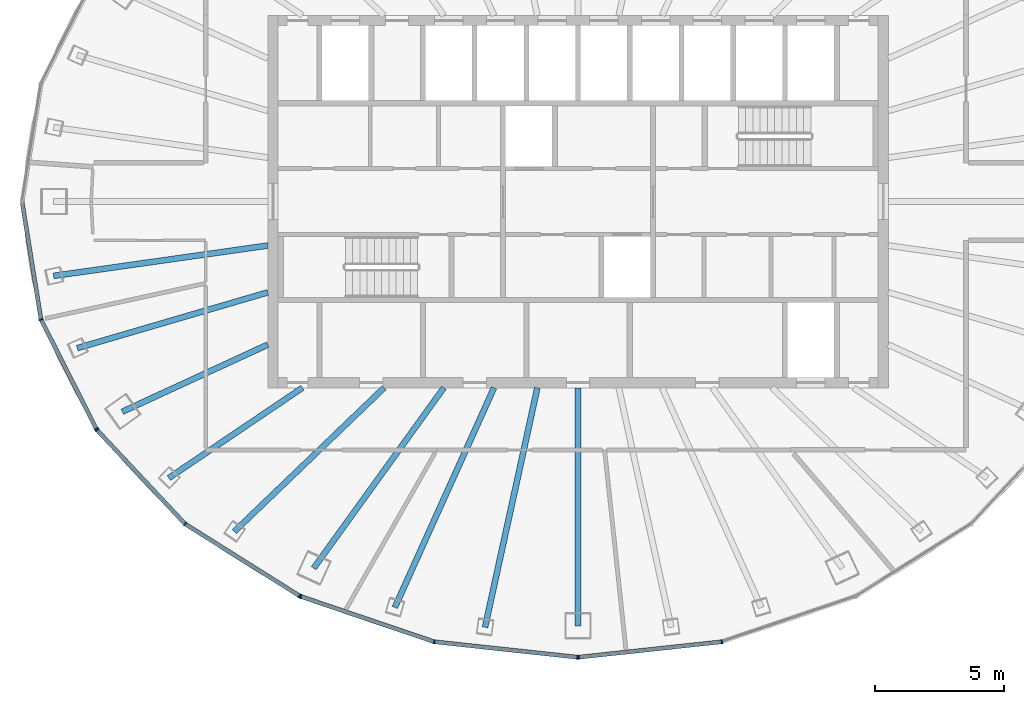
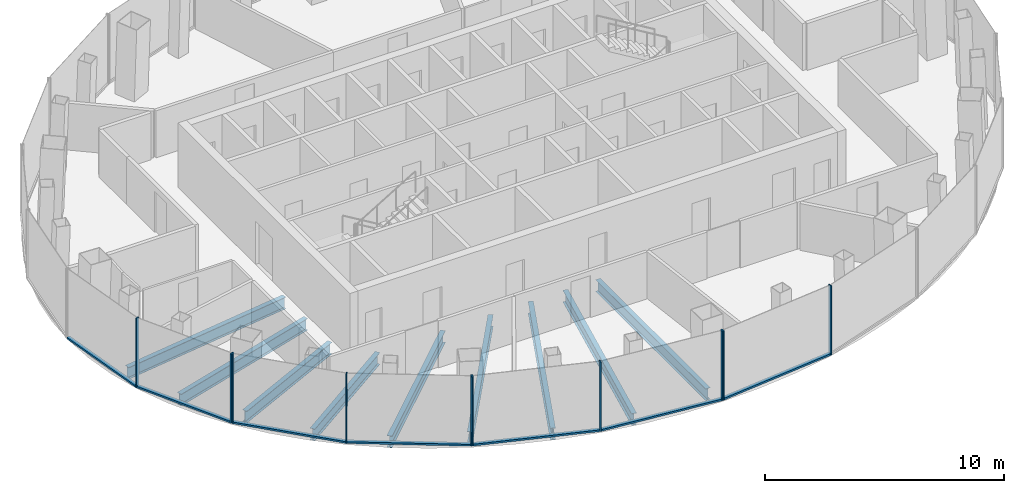
# One storey, part 2 of 12: 17 members, 9 beams, 4 elements without a shape of their own.
"""IFC4 building model written with IfcOpenShell, lengths in metres."""

from ifc_helpers import new_model, si_unit, direction, frame, origin, origin_2d, place, context, subcontext, project, spatial, rectangle, i_section, extrude, material, layer, layer_set, material_profile, profile_set, type_object, element, aggregate, save


model = new_model("IFC4")

# Units and contexts
model_context = context("Model", 3, precision=1e-05, world=origin(), true_north=direction((0.0, 1.0)))
body_context = subcontext(model_context, "Body", "Model", "MODEL_VIEW")
ifc_project = project(units=[si_unit("LENGTHUNIT", "METRE"), si_unit("AREAUNIT", "SQUARE_METRE"), si_unit("VOLUMEUNIT", "CUBIC_METRE"), si_unit("PLANEANGLEUNIT", "RADIAN"), si_unit("MASSUNIT", "GRAM", prefix="KILO")], contexts=[model_context])

# Site, building, storey
site_placement = place(None, origin())
site = spatial("IfcSite", under=ifc_project, at=site_placement, CompositionType="ELEMENT")
building_placement = place(site_placement, origin())
building = spatial("IfcBuilding", under=site, at=building_placement, Name="Siaravel Broadcast Tower", CompositionType="ELEMENT")
storey_placement = place(building_placement, frame((0.0, 0.0, 235.60009765625)))
storey = spatial("IfcBuildingStorey", under=building, at=storey_placement, Name="L57", CompositionType="ELEMENT", Elevation=235.60009765625)

# Beams
ifc_material_1 = material(Name="Steel S355", Category="steel")
ifc_material_profile_1 = material_profile(ifc_material_1, i_section(OverallWidth=0.2275390625, OverallDepth=0.6025390625, WebThickness=0.010498046875, FlangeThickness=0.014892578125, FilletRadius=0.0126953125, at=origin_2d()))
ifc_profile_set_1 = profile_set([ifc_material_profile_1], Name="Steel S355")
beam_type = type_object("IfcBeamType", Name="BM-UB 610x229x101", PredefinedType="BEAM", material=ifc_profile_set_1)
beam_1_placement = place(storey_placement, frame((-20.281005859375, -2.873779296875, -0.451416015625), z_axis=(0.990110561, 0.140289258, 0.0), x_axis=(-0.140289258, 0.990110561, 0.0)))
element("IfcBeam", 1, at=beam_1_placement, inside=storey, type_object=beam_type, Name="Radial beam RB20", PredefinedType="BEAM", context=body_context, shape_type="SweptSolid", body=[
    extrude(i_section(OverallWidth=0.2275390625, OverallDepth=0.6025390625, WebThickness=0.010498046875, FlangeThickness=0.014892578125, FilletRadius=0.0126953125, at=origin_2d()), origin(), (0.0, 0.0, 1.0), 8.36376953125),
])
beam_2_placement = place(storey_placement, frame((-19.3671875, -5.6669921875, -0.451416015625), z_axis=(0.959763126, 0.280810864, 0.0), x_axis=(-0.280810864, 0.959763126, 0.0)))
element("IfcBeam", 2, at=beam_2_placement, inside=storey, type_object=beam_type, Name="Radial beam RB21", PredefinedType="BEAM", context=body_context, shape_type="SweptSolid", body=[
    extrude(i_section(OverallWidth=0.2275390625, OverallDepth=0.6025390625, WebThickness=0.010498046875, FlangeThickness=0.014892578125, FilletRadius=0.0126953125, at=origin_2d()), origin(), (0.0, 0.0, 1.0), 7.676025390625),
])
beam_3_placement = place(storey_placement, frame((-17.623291015625, -8.1259765625, -0.451416015625), z_axis=(0.908103573, 0.418745628, 0.0), x_axis=(-0.418745628, 0.908103573, 0.0)))
element("IfcBeam", 3, at=beam_3_placement, inside=storey, type_object=beam_type, Name="Radial beam RB22", PredefinedType="BEAM", context=body_context, shape_type="SweptSolid", body=[
    extrude(i_section(OverallWidth=0.2275390625, OverallDepth=0.6025390625, WebThickness=0.010498046875, FlangeThickness=0.014892578125, FilletRadius=0.0126953125, at=origin_2d()), origin(), (0.0, 0.0, 1.0), 6.1923828125),
])
beam_4_placement = place(storey_placement, frame((-15.8251953125, -10.688720703125, -0.451416015625), z_axis=(0.828672445, 0.559733846, 0.0), x_axis=(-0.559733846, 0.828672445, 0.0)))
element("IfcBeam", 4, at=beam_4_placement, inside=storey, type_object=beam_type, Name="Radial beam RB23", PredefinedType="BEAM", context=body_context, shape_type="SweptSolid", body=[
    extrude(i_section(OverallWidth=0.2275390625, OverallDepth=0.6025390625, WebThickness=0.010498046875, FlangeThickness=0.014892578125, FilletRadius=0.0126953125, at=origin_2d()), origin(), (0.0, 0.0, 1.0), 6.23291015625),
])
beam_5_placement = place(storey_placement, frame((-13.294921875, -12.76123046875, -0.451416015625), z_axis=(0.721429237, 0.692488163, 0.0), x_axis=(-0.692488163, 0.721429237, 0.0)))
element("IfcBeam", 5, at=beam_5_placement, inside=storey, type_object=beam_type, Name="Radial beam RB24", PredefinedType="BEAM", context=body_context, shape_type="SweptSolid", body=[
    extrude(i_section(OverallWidth=0.2275390625, OverallDepth=0.6025390625, WebThickness=0.010498046875, FlangeThickness=0.014892578125, FilletRadius=0.0126953125, at=origin_2d()), origin(), (0.0, 0.0, 1.0), 8.03076171875),
])
beam_6_placement = place(storey_placement, frame((-10.2236328125, -14.177490234375, -0.451416015625), z_axis=(0.584910141, 0.811098099, 0.0), x_axis=(-0.811098099, 0.584910141, 0.0)))
element("IfcBeam", 6, at=beam_6_placement, inside=storey, type_object=beam_type, Name="Radial beam RB25", PredefinedType="BEAM", context=body_context, shape_type="SweptSolid", body=[
    extrude(i_section(OverallWidth=0.2275390625, OverallDepth=0.6025390625, WebThickness=0.010498046875, FlangeThickness=0.014892578125, FilletRadius=0.0126953125, at=origin_2d()), origin(), (0.0, 0.0, 1.0), 8.6025390625),
])
beam_7_placement = place(storey_placement, frame((-7.086669921875, -15.696044921875, -0.451416015625), z_axis=(0.4114969, 0.911411159, 0.0), x_axis=(-0.911411159, 0.4114969, 0.0)))
element("IfcBeam", 7, at=beam_7_placement, inside=storey, type_object=beam_type, Name="Radial beam RB26", PredefinedType="BEAM", context=body_context, shape_type="SweptSolid", body=[
    extrude(i_section(OverallWidth=0.2275390625, OverallDepth=0.6025390625, WebThickness=0.010498046875, FlangeThickness=0.014892578125, FilletRadius=0.0126953125, at=origin_2d()), origin(), (0.0, 0.0, 1.0), 9.322021484375),
])
beam_8_placement = place(storey_placement, frame((-3.599609375, -16.461181640625, -0.451416015625), z_axis=(0.213621611, 0.976916479, 0.0), x_axis=(-0.976916479, 0.213621611, 0.0)))
element("IfcBeam", 8, at=beam_8_placement, inside=storey, type_object=beam_type, Name="Radial beam RB27", PredefinedType="BEAM", context=body_context, shape_type="SweptSolid", body=[
    extrude(i_section(OverallWidth=0.2275390625, OverallDepth=0.6025390625, WebThickness=0.010498046875, FlangeThickness=0.014892578125, FilletRadius=0.0126953125, at=origin_2d()), origin(), (0.0, 0.0, 1.0), 9.47998046875),
])
beam_9_placement = place(storey_placement, frame((0.0, -16.419189453125, -0.451416015625), z_axis=(0.0, 1.0, 0.0), x_axis=(-1.0, 0.0, 0.0)))
element("IfcBeam", 9, at=beam_9_placement, inside=storey, type_object=beam_type, Name="Radial beam RB28", PredefinedType="BEAM", context=body_context, shape_type="SweptSolid", body=[
    extrude(i_section(OverallWidth=0.2275390625, OverallDepth=0.6025390625, WebThickness=0.010498046875, FlangeThickness=0.014892578125, FilletRadius=0.0126953125, at=origin_2d()), origin(), (0.0, 0.0, 1.0), 9.21923828125),
])

# Curtain wall, members
ifc_material_2 = material(Name="Aluminium 6063-T6", Category="aluminium")
ifc_layer = layer(ifc_material_2, 0.159912109375)
ifc_layer_set = layer_set([ifc_layer], Name="Aluminium 6063-T6")
curtain_wall_type = type_object("IfcCurtainWallType", Name="Unitised curtain wall, zone 4", PredefinedType="NOTDEFINED", material=ifc_layer_set)
curtain_wall_1_placement = place(storey_placement, origin())
curtain_wall_1 = element("IfcCurtainWall", 10, at=curtain_wall_1_placement, inside=storey, type_object=curtain_wall_type, Name="L57 Unitised curtain wall, zone 4 07", PredefinedType="NOTDEFINED")
ifc_material_profile_2 = material_profile(ifc_material_2, rectangle(XDim=0.159912109375, YDim=0.054931640625, at=origin_2d()))
ifc_profile_set_2 = profile_set([ifc_material_profile_2], Name="Aluminium 6063-T6")
member_type_1 = type_object("IfcMemberType", Name="CW-Z4 mullion", PredefinedType="MULLION", material=ifc_profile_set_2)
member_1_placement = place(storey_placement, frame((-20.7685546875, -4.5634765625, 0.0), z_axis=(0.0, 0.0, 1.0), x_axis=(0.951177556, 0.308644223, 0.0)))
member_1 = element("IfcMember", 11, at=member_1_placement, type_object=member_type_1, Name="CW-Z4 mullion 2", PredefinedType="MULLION", context=body_context, shape_type="SweptSolid", body=[
    extrude(rectangle(XDim=0.159912109375, YDim=0.054931640625, at=origin_2d()), origin(), (0.0, 0.0, 1.0), 3.5498046875),
])
member_2_placement = place(storey_placement, frame((-18.63134765625, -8.7900390625, 0.0), z_axis=(0.0, 0.0, 1.0), x_axis=(0.89239278, 0.451259489, 0.0)))
member_2 = element("IfcMember", 12, at=member_2_placement, type_object=member_type_1, Name="CW-Z4 mullion 3", PredefinedType="MULLION", context=body_context, shape_type="SweptSolid", body=[
    extrude(rectangle(XDim=0.159912109375, YDim=0.054931640625, at=origin_2d()), origin(), (0.0, 0.0, 1.0), 3.5498046875),
])

curtain_wall_2_placement = place(storey_placement, origin())
curtain_wall_2 = element("IfcCurtainWall", 13, at=curtain_wall_2_placement, inside=storey, type_object=curtain_wall_type, Name="L57 Unitised curtain wall, zone 4 08", PredefinedType="NOTDEFINED")
member_3_placement = place(storey_placement, frame((-18.60009765625, -8.834716796875, 0.0), z_axis=(0.0, 0.0, 1.0), x_axis=(0.72980635, 0.683653927, 0.0)))
member_3 = element("IfcMember", 14, at=member_3_placement, type_object=member_type_1, Name="CW-Z4 mullion 1", PredefinedType="MULLION", context=body_context, shape_type="SweptSolid", body=[
    extrude(rectangle(XDim=0.159912109375, YDim=0.054931640625, at=origin_2d()), origin(), (0.0, 0.0, 1.0), 3.5498046875),
])
member_4_placement = place(storey_placement, frame((-15.200439453125, -12.463623046875, 0.0), z_axis=(0.0, 0.0, 1.0), x_axis=(0.636219746, 0.771507897, 0.0)))
member_4 = element("IfcMember", 15, at=member_4_placement, type_object=member_type_1, Name="CW-Z4 mullion 2", PredefinedType="MULLION", context=body_context, shape_type="SweptSolid", body=[
    extrude(rectangle(XDim=0.159912109375, YDim=0.054931640625, at=origin_2d()), origin(), (0.0, 0.0, 1.0), 3.5498046875),
])
member_5_placement = place(storey_placement, frame((-10.770751953125, -15.248046875, 0.0), z_axis=(0.0, 0.0, 1.0), x_axis=(0.532150293, 0.846649907, 0.0)))
member_5 = element("IfcMember", 16, at=member_5_placement, type_object=member_type_1, Name="CW-Z4 mullion 3", PredefinedType="MULLION", context=body_context, shape_type="SweptSolid", body=[
    extrude(rectangle(XDim=0.159912109375, YDim=0.054931640625, at=origin_2d()), origin(), (0.0, 0.0, 1.0), 3.5498046875),
])

curtain_wall_3_placement = place(storey_placement, origin())
curtain_wall_3 = element("IfcCurtainWall", 17, at=curtain_wall_3_placement, inside=storey, type_object=curtain_wall_type, Name="L57 Unitised curtain wall, zone 4 09", PredefinedType="NOTDEFINED")
member_6_placement = place(storey_placement, frame((-10.72119140625, -15.271484375, 0.0), z_axis=(0.0, 0.0, 1.0), x_axis=(0.321301352, 0.946977002, 0.0)))
member_6 = element("IfcMember", 18, at=member_6_placement, type_object=member_type_1, Name="CW-Z4 mullion 1", PredefinedType="MULLION", context=body_context, shape_type="SweptSolid", body=[
    extrude(rectangle(XDim=0.159912109375, YDim=0.054931640625, at=origin_2d()), origin(), (0.0, 0.0, 1.0), 3.5498046875),
])
member_7_placement = place(storey_placement, frame((-5.56298828125, -17.021728515625, 0.0), z_axis=(0.0, 0.0, 1.0), x_axis=(0.215558569, 0.976490913, 0.0)))
member_7 = element("IfcMember", 19, at=member_7_placement, type_object=member_type_1, Name="CW-Z4 mullion 2", PredefinedType="MULLION", context=body_context, shape_type="SweptSolid", body=[
    extrude(rectangle(XDim=0.159912109375, YDim=0.054931640625, at=origin_2d()), origin(), (0.0, 0.0, 1.0), 3.5498046875),
])
member_8_placement = place(storey_placement, frame((-0.02734375, -17.61865234375, 0.0), z_axis=(0.0, 0.0, 1.0), x_axis=(0.107217743, 0.994235563, 0.0)))
member_8 = element("IfcMember", 20, at=member_8_placement, type_object=member_type_1, Name="CW-Z4 mullion 3", PredefinedType="MULLION", context=body_context, shape_type="SweptSolid", body=[
    extrude(rectangle(XDim=0.159912109375, YDim=0.054931640625, at=origin_2d()), origin(), (0.0, 0.0, 1.0), 3.5498046875),
])

curtain_wall_4_placement = place(storey_placement, origin())
curtain_wall_4 = element("IfcCurtainWall", 21, at=curtain_wall_4_placement, inside=storey, type_object=curtain_wall_type, Name="L57 Unitised curtain wall, zone 4 10", PredefinedType="NOTDEFINED")
member_9_placement = place(storey_placement, frame((0.02734375, -17.61865234375, 0.0), z_axis=(0.0, 0.0, 1.0), x_axis=(-0.107217743, 0.994235563, 0.0)))
member_9 = element("IfcMember", 22, at=member_9_placement, type_object=member_type_1, Name="CW-Z4 mullion 1", PredefinedType="MULLION", context=body_context, shape_type="SweptSolid", body=[
    extrude(rectangle(XDim=0.159912109375, YDim=0.054931640625, at=origin_2d()), origin(), (0.0, 0.0, 1.0), 3.5498046875),
])
member_10_placement = place(storey_placement, frame((5.56298828125, -17.021728515625, 0.0), z_axis=(0.0, 0.0, 1.0), x_axis=(-0.215558569, 0.976490913, 0.0)))
member_10 = element("IfcMember", 23, at=member_10_placement, type_object=member_type_1, Name="CW-Z4 mullion 2", PredefinedType="MULLION", context=body_context, shape_type="SweptSolid", body=[
    extrude(rectangle(XDim=0.159912109375, YDim=0.054931640625, at=origin_2d()), origin(), (0.0, 0.0, 1.0), 3.5498046875),
])

# Member
ifc_material_profile_3 = material_profile(ifc_material_2, rectangle(XDim=0.159912109375, YDim=0.090087890625, at=origin_2d()))
ifc_profile_set_3 = profile_set([ifc_material_profile_3], Name="Aluminium 6063-T6")
member_type_2 = type_object("IfcMemberType", Name="CW-Z4 transom", PredefinedType="USERDEFINED", material=ifc_profile_set_3)
member_11_placement = place(storey_placement, frame((-21.493408203125, -0.05419921875, 0.044921875), z_axis=(0.158701499, -0.98732661, 0.0), x_axis=(0.98732661, 0.158701499, 0.0)))
member_11 = element("IfcMember", 24, at=member_11_placement, type_object=member_type_2, Name="CW-Z4 transom 1", ObjectType="TRANSOM", PredefinedType="USERDEFINED", context=body_context, shape_type="SweptSolid", body=[
    extrude(rectangle(XDim=0.159912109375, YDim=0.090087890625, at=origin_2d()), origin(), (0.0, 0.0, 1.0), 4.539794921875),
])

member_12_placement = place(storey_placement, frame((-20.756103515625, -4.587890625, 0.044921875), z_axis=(0.451235344, -0.892404989, 0.0), x_axis=(0.892404989, 0.451235344, 0.0)))
member_12 = element("IfcMember", 25, at=member_12_placement, type_object=member_type_2, Name="CW-Z4 transom 2", ObjectType="TRANSOM", PredefinedType="USERDEFINED", context=body_context, shape_type="SweptSolid", body=[
    extrude(rectangle(XDim=0.159912109375, YDim=0.090087890625, at=origin_2d()), origin(), (0.0, 0.0, 1.0), 4.68115234375),
])

aggregate(curtain_wall_1, [member_1, member_2, member_11, member_12])

member_13_placement = place(storey_placement, frame((-18.581298828125, -8.854736328125, 0.044921875), z_axis=(0.68367025, -0.729791059, 0.0), x_axis=(0.729791059, 0.68367025, 0.0)))
member_13 = element("IfcMember", 26, at=member_13_placement, type_object=member_type_2, Name="CW-Z4 transom 1", ObjectType="TRANSOM", PredefinedType="USERDEFINED", context=body_context, shape_type="SweptSolid", body=[
    extrude(rectangle(XDim=0.159912109375, YDim=0.090087890625, at=origin_2d()), origin(), (0.0, 0.0, 1.0), 4.917724609375),
])

member_14_placement = place(storey_placement, frame((-15.17724609375, -12.478271484375, 0.044921875), z_axis=(0.846644441, -0.53215899, 0.0), x_axis=(0.53215899, 0.846644441, 0.0)))
member_14 = element("IfcMember", 27, at=member_14_placement, type_object=member_type_2, Name="CW-Z4 transom 2", ObjectType="TRANSOM", PredefinedType="USERDEFINED", context=body_context, shape_type="SweptSolid", body=[
    extrude(rectangle(XDim=0.159912109375, YDim=0.090087890625, at=origin_2d()), origin(), (0.0, 0.0, 1.0), 5.17724609375),
])

aggregate(curtain_wall_2, [member_3, member_4, member_5, member_13, member_14])

member_15_placement = place(storey_placement, frame((-10.6953125, -15.2802734375, 0.044921875), z_axis=(0.946971812, -0.321316645, 0.0), x_axis=(0.321316645, 0.946971812, 0.0)))
member_15 = element("IfcMember", 28, at=member_15_placement, type_object=member_type_2, Name="CW-Z4 transom 1", ObjectType="TRANSOM", PredefinedType="USERDEFINED", context=body_context, shape_type="SweptSolid", body=[
    extrude(rectangle(XDim=0.159912109375, YDim=0.090087890625, at=origin_2d()), origin(), (0.0, 0.0, 1.0), 5.392333984375),
])

member_16_placement = place(storey_placement, frame((-5.53564453125, -17.024658203125, 0.044921875), z_axis=(0.994235535, -0.107218006, 0.0), x_axis=(0.107218006, 0.994235535, 0.0)))
member_16 = element("IfcMember", 29, at=member_16_placement, type_object=member_type_2, Name="CW-Z4 transom 2", ObjectType="TRANSOM", PredefinedType="USERDEFINED", context=body_context, shape_type="SweptSolid", body=[
    extrude(rectangle(XDim=0.159912109375, YDim=0.090087890625, at=origin_2d()), origin(), (0.0, 0.0, 1.0), 5.5126953125),
])

aggregate(curtain_wall_3, [member_6, member_7, member_8, member_15, member_16])

member_17_placement = place(storey_placement, frame((0.0546875, -17.61572265625, 0.044921875), z_axis=(0.994235535, 0.107218006, 0.0), x_axis=(-0.107218006, 0.994235535, 0.0)))
member_17 = element("IfcMember", 30, at=member_17_placement, type_object=member_type_2, Name="CW-Z4 transom 1", ObjectType="TRANSOM", PredefinedType="USERDEFINED", context=body_context, shape_type="SweptSolid", body=[
    extrude(rectangle(XDim=0.159912109375, YDim=0.090087890625, at=origin_2d()), origin(), (0.0, 0.0, 1.0), 5.5126953125),
])

aggregate(curtain_wall_4, [member_9, member_10, member_17])

save(model, "model.ifc")
